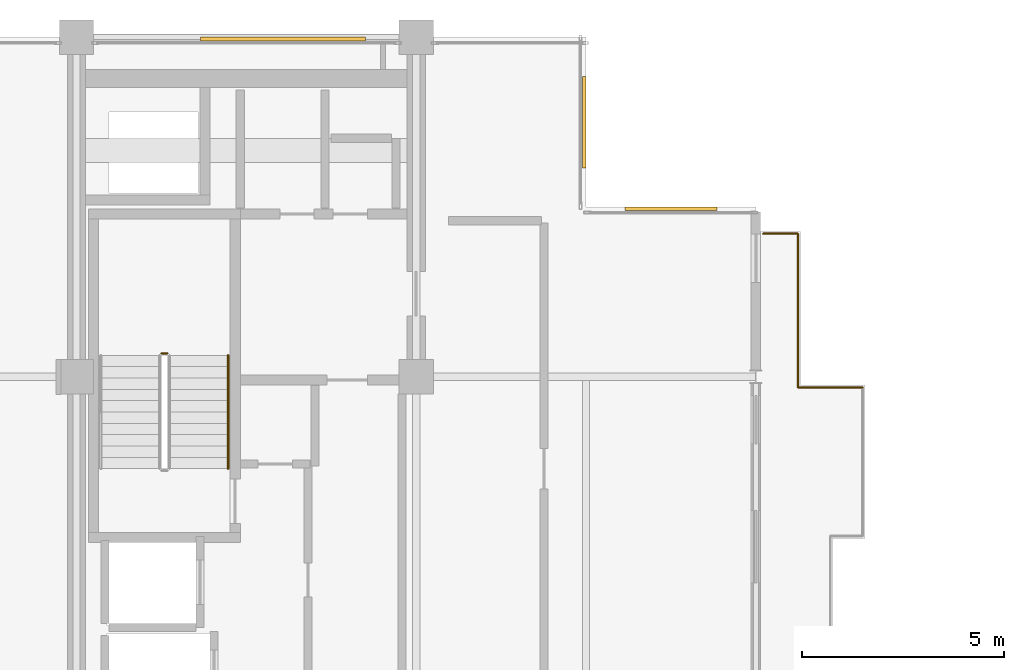
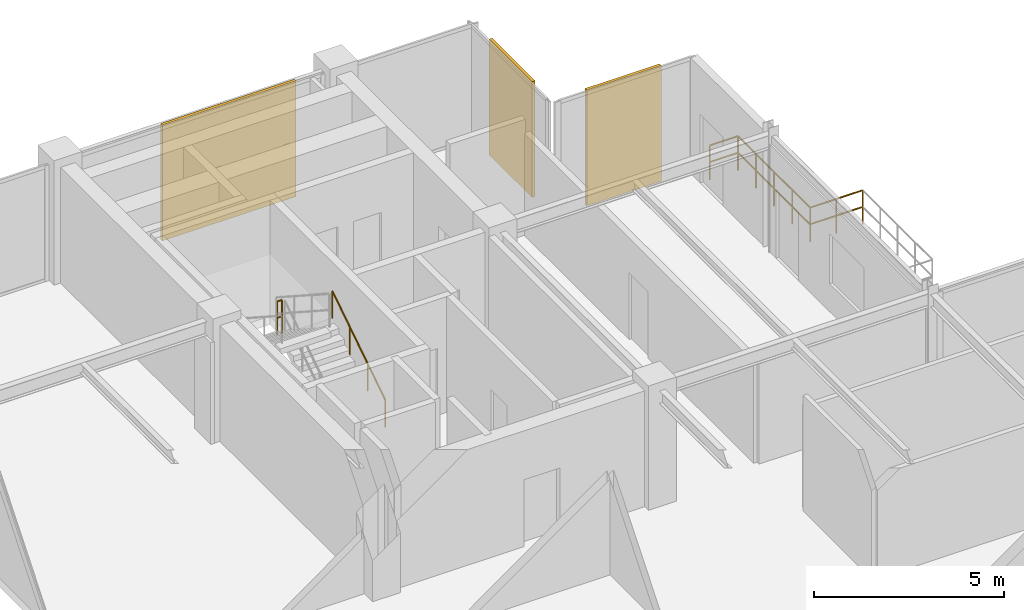
# One storey, part 26 of 26: 5 railings, 3 coverings.
"""IFC4 building model written with IfcOpenShell, lengths in metres."""

import ifcopenshell
import ifcopenshell.guid

model = None  # the IFC model being written
_history = None  # IfcOwnerHistory: only IFC2X3 demands one
_inside = {}  # id of a spatial element -> (the spatial element, [elements in it])
_under = {}  # id of a project, library or spatial element -> (it, [spatial elements below it])
_declared = {}  # id of a project -> (the project, [libraries it declares])
_typed = {}  # id of a type object -> (the type object, [elements of that type])
_made_of = {}  # id of a material, layer set ... -> (it, [elements and type objects made of it])


def new_model(schema):
    """Start an empty IFC model of exactly this schema.

    Asked for "IFC4X3", IfcOpenShell would pick the latest addendum, in which some entities
    have other attributes; the version numbers below select the first issue.
    IFC2X3 requires an IfcOwnerHistory on every rooted entity: one is made here for all.
    """
    global model, _history
    if schema == "IFC4X3":
        model = ifcopenshell.file(schema_version=(4, 3, 0, 0))
    else:
        model = ifcopenshell.file(schema=schema)
    _inside.clear()
    _under.clear()
    _declared.clear()
    _typed.clear()
    _made_of.clear()
    _history = None
    if model.schema == "IFC2X3":
        org = make("IfcOrganization", Name="unknown")
        user = make(
            "IfcPersonAndOrganization",
            ThePerson=make("IfcPerson", FamilyName="unknown"),
            TheOrganization=org,
        )
        app = make(
            "IfcApplication",
            ApplicationDeveloper=org,
            Version="unknown",
            ApplicationFullName="unknown",
            ApplicationIdentifier="unknown",
        )
        _history = make(
            "IfcOwnerHistory",
            OwningUser=user,
            OwningApplication=app,
            ChangeAction="ADDED",
            CreationDate=0,
        )
    return model


def make(cls, **values):
    """One entity of the class cls with the attributes given. An attribute that is None is left unset."""
    return model.create_entity(
        cls, **{name: value for name, value in values.items() if value is not None}
    )


def rooted(cls, **values):
    """An entity with a GlobalId (a new one), such as an element, a storey or a relation."""
    return make(cls, GlobalId=ifcopenshell.guid.new(), OwnerHistory=_history, **values)


def si_unit(unit_type, name, prefix=None):
    """IfcSIUnit, for example si_unit("LENGTHUNIT", "METRE", prefix="MILLI")."""
    return make("IfcSIUnit", UnitType=unit_type, Prefix=prefix, Name=name)


def assignment(units):
    """IfcUnitAssignment: the units of a project."""
    return None if units is None else make("IfcUnitAssignment", Units=units)


def point(xyz):
    """IfcCartesianPoint."""
    return None if xyz is None else make("IfcCartesianPoint", Coordinates=xyz)


def direction(xyz):
    """IfcDirection."""
    return None if xyz is None else make("IfcDirection", DirectionRatios=xyz)


def frame(location, z_axis=None, x_axis=None):
    """IfcAxis2Placement3D, a coordinate frame: its origin and axes. An axis left out is left unset."""
    return make(
        "IfcAxis2Placement3D",
        Location=point(location),
        Axis=direction(z_axis),
        RefDirection=direction(x_axis),
    )


def frame_2d(location, x_axis=None):
    """IfcAxis2Placement2D, a coordinate frame in the plane: its origin and x axis."""
    return make(
        "IfcAxis2Placement2D", Location=point(location), RefDirection=direction(x_axis)
    )


def origin():
    """The frame at (0, 0, 0) with its axes left unset."""
    return frame((0.0, 0.0, 0.0))


def origin_2d():
    """The frame at (0, 0) in the plane with its x axis left unset."""
    return frame_2d((0.0, 0.0))


def place(relative_to, where):
    """IfcLocalPlacement: puts the frame where relative to a parent placement (None: the world)."""
    return make(
        "IfcLocalPlacement", PlacementRelTo=relative_to, RelativePlacement=where
    )


def context(
    kind, dimensions, precision=None, world=None, true_north=None, identifier=None
):
    """IfcGeometricRepresentationContext, for example the 3D "Model" context."""
    return make(
        "IfcGeometricRepresentationContext",
        ContextIdentifier=identifier,
        ContextType=kind,
        CoordinateSpaceDimension=dimensions,
        Precision=precision,
        WorldCoordinateSystem=world,
        TrueNorth=true_north,
    )


def subcontext(parent, identifier, kind, view, scale=None):
    """IfcGeometricRepresentationSubContext, for example "Body" below "Model"."""
    return make(
        "IfcGeometricRepresentationSubContext",
        ContextIdentifier=identifier,
        ContextType=kind,
        ParentContext=parent,
        TargetScale=scale,
        TargetView=view,
    )


def project(units=None, contexts=None):
    """IfcProject with its units and contexts."""
    return rooted(
        "IfcProject",
        Name="project",
        RepresentationContexts=contexts,
        UnitsInContext=assignment(units),
    )


def spatial(cls, under=None, at=None, **own):
    """A site, building, storey or space (cls), placed at a placement, below another one or the project."""
    s = rooted(cls, ObjectPlacement=at, **own)
    if under is not None:
        _under.setdefault(under.id(), (under, []))[1].append(s)
    return s


def profile(cls, at=None, kind="AREA", **sizes):
    """A parametric profile (cls). Its sizes go by their IFC names, for example OverallWidth=200.0."""
    return make(cls, ProfileType=kind, Position=at, **sizes)


def rectangle(**sizes):
    """IfcRectangleProfileDef."""
    return profile("IfcRectangleProfileDef", **sizes)


def circle(**sizes):
    """IfcCircleProfileDef."""
    return profile("IfcCircleProfileDef", **sizes)


def extrude(swept, where, along, depth):
    """IfcExtrudedAreaSolid: the profile swept, set in the frame where, extruded along a direction by depth."""
    return make(
        "IfcExtrudedAreaSolid",
        SweptArea=swept,
        Position=where,
        ExtrudedDirection=direction(along),
        Depth=depth,
    )


def shape(context_of_items, identifier, shape_type, items):
    """IfcShapeRepresentation: the items that make up one representation, for example the "Body"."""
    return make(
        "IfcShapeRepresentation",
        ContextOfItems=context_of_items,
        RepresentationIdentifier=identifier,
        RepresentationType=shape_type,
        Items=items,
    )


def material(Name=None, Category=None):
    """IfcMaterial."""
    return make("IfcMaterial", Name=Name, Category=Category)


def layer(
    of_material, thickness, ventilated=None, Name=None, Category=None, Priority=None
):
    """IfcMaterialLayer: one layer of a wall or slab, of a material (None: an air gap)."""
    return make(
        "IfcMaterialLayer",
        Material=of_material,
        LayerThickness=thickness,
        IsVentilated=ventilated,
        Name=Name,
        Category=Category,
        Priority=Priority,
    )


def layer_set(layers, Name=None):
    """IfcMaterialLayerSet."""
    return make("IfcMaterialLayerSet", MaterialLayers=layers, LayerSetName=Name)


def made_of(thing, what):
    """Note that an element or type object is made of a material, layer set ...; save() writes the relation."""
    if what is not None:
        _made_of.setdefault(what.id(), (what, []))[1].append(thing)
    return thing


def type_object(cls, material=None, **own):
    """A type object (cls), such as IfcWallType, which elements share."""
    return made_of(rooted(cls, **own), material)


def element(
    cls,
    number,
    at=None,
    inside=None,
    cuts=None,
    type_object=None,
    material=None,
    context=None,
    identifier="Body",
    shape_type=None,
    held_by="IfcProductDefinitionShape",
    body=None,
    shapes=None,
    **own,
):
    """One element of the class cls, such as IfcWall. Its Tag is "e" and its number.

    at: its placement. inside: the storey or other place that contains it. cuts: it is an
    opening in that element (IfcRelVoidsElement). A single representation is given by context,
    identifier, shape_type and body (its items); several are given by shapes. held_by: the class
    of the entity that holds the representations. save() writes the other relations.
    """
    e = rooted(cls, Tag="e%d" % number, ObjectPlacement=at, **own)
    if body is not None:
        shapes = [shape(context, identifier, shape_type, body)]
    if shapes is not None:
        e.Representation = make(held_by, Representations=shapes)
    if inside is not None:
        _inside.setdefault(inside.id(), (inside, []))[1].append(e)
    if cuts is not None:
        rooted(
            "IfcRelVoidsElement", RelatingBuildingElement=cuts, RelatedOpeningElement=e
        )
    if type_object is not None:
        _typed.setdefault(type_object.id(), (type_object, []))[1].append(e)
    return made_of(e, material)


def aggregate(whole, parts):
    """IfcRelAggregates: a whole, such as a stair, and the parts it consists of."""
    return rooted("IfcRelAggregates", RelatingObject=whole, RelatedObjects=parts)


def save(model, path):
    """Write the relations noted so far, then the file.

    IfcRelAggregates (storeys below a building ...), IfcRelContainedInSpatialStructure (elements
    in a storey), IfcRelDefinesByType, IfcRelAssociatesMaterial and IfcRelDeclares: one each for
    every whole, place, type object, material and project.
    """
    for whole, parts in _under.values():
        aggregate(whole, parts)
    for where, things in _inside.values():
        rooted(
            "IfcRelContainedInSpatialStructure",
            RelatedElements=things,
            RelatingStructure=where,
        )
    for kind, things in _typed.values():
        rooted("IfcRelDefinesByType", RelatedObjects=things, RelatingType=kind)
    for what, things in _made_of.values():
        rooted("IfcRelAssociatesMaterial", RelatedObjects=things, RelatingMaterial=what)
    for by, libraries in _declared.values():
        rooted("IfcRelDeclares", RelatingContext=by, RelatedDefinitions=libraries)
    model.write(path)


model = new_model("IFC4")

# Units and contexts
model_context = context("Model", 3, precision=1e-05, world=origin(), true_north=direction((0.0, 1.0)))
body_context = subcontext(model_context, "Body", "Model", "MODEL_VIEW")
ifc_project = project(units=[si_unit("LENGTHUNIT", "METRE"), si_unit("AREAUNIT", "SQUARE_METRE"), si_unit("VOLUMEUNIT", "CUBIC_METRE"), si_unit("PLANEANGLEUNIT", "RADIAN"), si_unit("MASSUNIT", "GRAM", prefix="KILO")], contexts=[model_context])

# Site, building, storey
site_placement = place(None, origin())
site = spatial("IfcSite", under=ifc_project, at=site_placement, CompositionType="ELEMENT")
building_placement = place(site_placement, origin())
building = spatial("IfcBuilding", under=site, at=building_placement, Name="Nerrivon Quay Data Exchange", CompositionType="ELEMENT")
storey_placement = place(building_placement, frame((0.0, 0.0, 274.199951171875)))
storey = spatial("IfcBuildingStorey", under=building, at=storey_placement, Name="L65", CompositionType="ELEMENT", Elevation=274.199951171875)

# Coverings
ifc_material_1 = material(Name="Architectural terracotta ceramic", Category="masonry")
ifc_layer = layer(ifc_material_1, 0.090087890625)
ifc_layer_set = layer_set([ifc_layer], Name="Architectural terracotta ceramic")
covering_type = type_object("IfcCoveringType", Name="COV-SCR-TERR", PredefinedType="CLADDING", material=ifc_layer_set)
covering_placement = place(storey_placement, frame((13.506103515625, 41.955078125, 0.0), z_axis=(0.0, 0.0, 1.0), x_axis=(1.0, 0.0, 0.0)))
element("IfcCovering", 1, at=covering_placement, inside=storey, type_object=covering_type, Name="L65 Perforated Terracotta SOLAR SCREEN Cassette", PredefinedType="CLADDING", context=body_context, shape_type="SweptSolid", body=[
    extrude(rectangle(XDim=4.076904296875, YDim=0.090087890625, at=origin_2d()), origin(), (0.0, 0.0, 1.0), 3.72509765625),
])
for number, where, z_axis, x_axis, name in (
    (2, (20.955078125, 39.89990234375, 0.0), (0.0, 0.0, 1.0), (0.0, -1.0, 0.0), "L65 Perforated Terracotta SOLAR SCREEN Cassette"),
    (3, (23.10009765625, 37.7548828125, 0.0), (0.0, 0.0, 1.0), (1.0, 0.0, 0.0), "L65 Perforated Terracotta SOLAR SCREEN Cassette"),
):
    element("IfcCovering", number, at=place(storey_placement, frame(where, z_axis=z_axis, x_axis=x_axis)), inside=storey, type_object=covering_type, Name=name, PredefinedType="CLADDING", context=body_context, shape_type="SweptSolid", body=[
        extrude(rectangle(XDim=2.26806640625, YDim=0.090087890625, at=origin_2d()), origin(), (0.0, 0.0, 1.0), 3.72509765625),
    ])

# Railings
ifc_material_2 = material(Name="Steel Grade C350L0 (350 MPa)", Category="steel")
railing_type_1 = type_object("IfcRailingType", Name="RAIL-GUARD-GR2", PredefinedType="BALUSTRADE", material=ifc_material_2)
railing_1_placement = place(storey_placement, frame((25.3798828125, 37.139892578125, 0.0)))
element("IfcRailing", 4, at=railing_1_placement, inside=storey, type_object=railing_type_1, Name="L65 Verandah Balcony Guard 1.3 1", PredefinedType="BALUSTRADE", context=body_context, shape_type="SweptSolid", body=[
    extrude(circle(Radius=0.02392578125, at=origin_2d()), frame((0.0, 0.0, 1.09619140625), z_axis=(1.0, 0.0, 0.0), x_axis=(0.0, 1.0, 0.0)), (0.0, 0.0, 1.0), 0.860107421875),
    extrude(circle(Radius=0.02392578125, at=origin_2d()), frame((0.0, 0.0, 0.56005859375), z_axis=(1.0, 0.0, 0.0), x_axis=(0.0, 1.0, 0.0)), (0.0, 0.0, 1.0), 0.860107421875),
    extrude(circle(Radius=0.02099609375, at=origin_2d()), origin(), (0.0, 0.0, 1.0), 1.072021484375),
    extrude(circle(Radius=0.02099609375, at=origin_2d()), frame((0.860107421875, 0.0, 0.0)), (0.0, 0.0, 1.0), 1.072021484375),
])
railing_2_placement = place(storey_placement, frame((26.239990234375, 37.139892578125, 0.0)))
element("IfcRailing", 5, at=railing_2_placement, inside=storey, type_object=railing_type_1, Name="L65 Verandah Balcony Guard 1.4 1", PredefinedType="BALUSTRADE", context=body_context, shape_type="SweptSolid", body=[
    extrude(circle(Radius=0.02392578125, at=origin_2d()), frame((0.0, 0.0, 1.09619140625), z_axis=(0.0, -1.0, 0.0), x_axis=(1.0, 0.0, 0.0)), (0.0, 0.0, 1.0), 3.7998046875),
    extrude(circle(Radius=0.02392578125, at=origin_2d()), frame((0.0, 0.0, 0.56005859375), z_axis=(0.0, -1.0, 0.0), x_axis=(1.0, 0.0, 0.0)), (0.0, 0.0, 1.0), 3.7998046875),
    extrude(circle(Radius=0.02099609375, at=origin_2d()), origin(), (0.0, 0.0, 1.0), 1.072021484375),
    extrude(circle(Radius=0.02099609375, at=origin_2d()), frame((0.0, -0.949951171875, 0.0)), (0.0, 0.0, 1.0), 1.072021484375),
    extrude(circle(Radius=0.02099609375, at=origin_2d()), frame((0.0, -1.89990234375, 0.0)), (0.0, 0.0, 1.0), 1.072021484375),
    extrude(circle(Radius=0.02099609375, at=origin_2d()), frame((0.0, -2.849853515625, 0.0)), (0.0, 0.0, 1.0), 1.072021484375),
    extrude(circle(Radius=0.02099609375, at=origin_2d()), frame((0.0, -3.7998046875, 0.0)), (0.0, 0.0, 1.0), 1.072021484375),
])
railing_3_placement = place(storey_placement, frame((26.239990234375, 33.340087890625, 0.0)))
element("IfcRailing", 6, at=railing_3_placement, inside=storey, type_object=railing_type_1, Name="L65 Verandah Balcony Guard 1.5 1", PredefinedType="BALUSTRADE", context=body_context, shape_type="SweptSolid", body=[
    extrude(circle(Radius=0.02392578125, at=origin_2d()), frame((0.0, 0.0, 1.09619140625), z_axis=(1.0, 0.0, 0.0), x_axis=(0.0, 1.0, 0.0)), (0.0, 0.0, 1.0), 1.60009765625),
    extrude(circle(Radius=0.02392578125, at=origin_2d()), frame((0.0, 0.0, 0.56005859375), z_axis=(1.0, 0.0, 0.0), x_axis=(0.0, 1.0, 0.0)), (0.0, 0.0, 1.0), 1.60009765625),
    extrude(circle(Radius=0.02099609375, at=origin_2d()), origin(), (0.0, 0.0, 1.0), 1.072021484375),
    extrude(circle(Radius=0.02099609375, at=origin_2d()), frame((0.800048828125, 0.0, 0.0)), (0.0, 0.0, 1.0), 1.072021484375),
    extrude(circle(Radius=0.02099609375, at=origin_2d()), frame((1.60009765625, 0.0, 0.0)), (0.0, 0.0, 1.0), 1.072021484375),
])
railing_type_2 = type_object("IfcRailingType", Name="RAIL-HAND-HR1", PredefinedType="HANDRAIL", material=ifc_material_2)
railing_4_placement = place(storey_placement, frame((12.14990234375, 31.330078125, 0.181884765625)))
element("IfcRailing", 7, at=railing_4_placement, inside=storey, type_object=railing_type_2, Name="L65 ST01 stair handrail 1", PredefinedType="HANDRAIL", context=body_context, shape_type="SweptSolid", body=[
    extrude(circle(Radius=0.02392578125, at=origin_2d()), frame((0.0, 0.0, 0.8759765625), z_axis=(0.0, 0.83868413941, 0.544618136222), x_axis=(-1.0, 0.0, 0.0)), (0.0, 0.0, 1.0), 3.33837890625),
    extrude(circle(Radius=0.02099609375, at=origin_2d()), origin(), (0.0, 0.0, 1.0), 0.851806640625),
    extrude(circle(Radius=0.02099609375, at=origin_2d()), frame((0.0, 0.933349609375, 0.60595703125)), (0.0, 0.0, 1.0), 0.851806640625),
    extrude(circle(Radius=0.02099609375, at=origin_2d()), frame((0.0, 1.866455078125, 1.212158203125)), (0.0, 0.0, 1.0), 0.851806640625),
    extrude(circle(Radius=0.02099609375, at=origin_2d()), frame((0.0, 2.7998046875, 1.818115234375)), (0.0, 0.0, 1.0), 0.851806640625),
])
railing_type_3 = type_object("IfcRailingType", Name="RAIL-STAIR-GR1", PredefinedType="BALUSTRADE", material=ifc_material_2)
railing_5_placement = place(storey_placement, frame((10.64990234375, 34.179931640625, 2.0)))
element("IfcRailing", 8, at=railing_5_placement, inside=storey, type_object=railing_type_3, Name="L65 ST01 stair guard 2", PredefinedType="BALUSTRADE", context=body_context, shape_type="SweptSolid", body=[
    extrude(circle(Radius=0.02392578125, at=origin_2d()), frame((0.0, 0.0, 1.076171875), z_axis=(-1.0, 0.0, 0.0), x_axis=(0.0, -1.0, 0.0)), (0.0, 0.0, 1.0), 0.14990234375),
    extrude(circle(Radius=0.02392578125, at=origin_2d()), frame((0.0, 0.0, 0.550048828125), z_axis=(-1.0, 0.0, 0.0), x_axis=(0.0, -1.0, 0.0)), (0.0, 0.0, 1.0), 0.14990234375),
    extrude(circle(Radius=0.02099609375, at=origin_2d()), origin(), (0.0, 0.0, 1.0), 1.052001953125),
    extrude(circle(Radius=0.02099609375, at=origin_2d()), frame((-0.14990234375, 0.0, 0.0)), (0.0, 0.0, 1.0), 1.052001953125),
])

save(model, "model.ifc")
